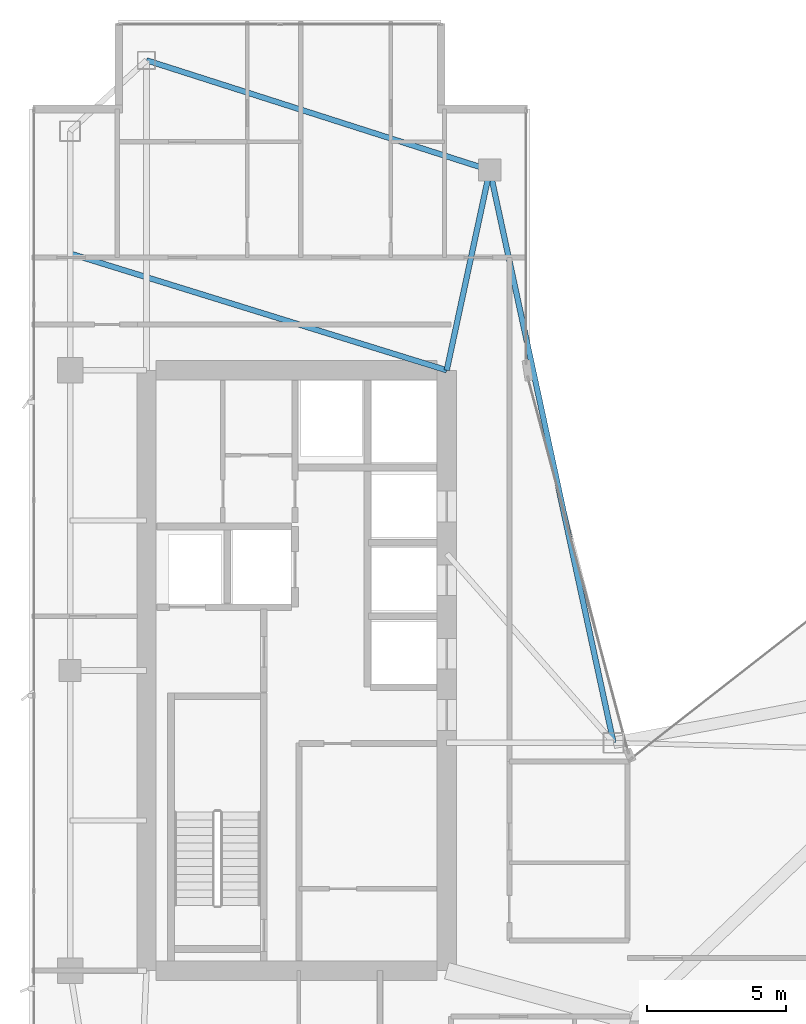
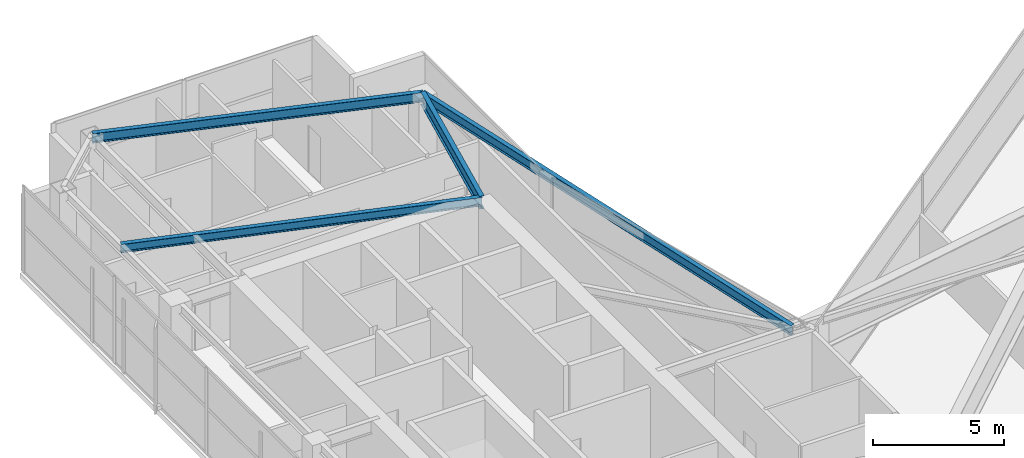
# One storey, part 18 of 29: 4 beams.
"""IFC4 building model written with IfcOpenShell, lengths in metres."""

from ifc_helpers import new_model, si_unit, direction, frame, origin, origin_2d, place, context, subcontext, project, spatial, i_section, extrude, material, material_profile, profile_set, type_object, element, save


model = new_model("IFC4")

# Units and contexts
model_context = context("Model", 3, precision=1e-05, world=origin(), true_north=direction((0.0, 1.0)))
body_context = subcontext(model_context, "Body", "Model", "MODEL_VIEW")
ifc_project = project(units=[si_unit("LENGTHUNIT", "METRE"), si_unit("AREAUNIT", "SQUARE_METRE"), si_unit("VOLUMEUNIT", "CUBIC_METRE"), si_unit("PLANEANGLEUNIT", "RADIAN"), si_unit("MASSUNIT", "GRAM", prefix="KILO")], contexts=[model_context])

# Site, building, storey
site_placement = place(None, origin())
site = spatial("IfcSite", under=ifc_project, at=site_placement, CompositionType="ELEMENT")
building_placement = place(site_placement, origin())
building = spatial("IfcBuilding", under=site, at=building_placement, Name="Calvorn Quay Hotel", CompositionType="ELEMENT")
storey_placement = place(building_placement, frame((0.0, 0.0, 214.800048828125)))
storey = spatial("IfcBuildingStorey", under=building, at=storey_placement, Name="L53", CompositionType="ELEMENT", Elevation=214.800048828125)

# Beams
ifc_material_1 = material(Name="Steel Q355B", Category="steel")
ifc_material_profile_1 = material_profile(ifc_material_1, i_section(OverallWidth=0.199951171875, OverallDepth=0.60009765625, WebThickness=0.010986328125, FlangeThickness=0.01708984375, FilletRadius=0.01806640625, at=origin_2d()), Name="HN600x200x11x17")
ifc_profile_set_1 = profile_set([ifc_material_profile_1], Name="Steel Q355B")
beam_type_1 = type_object("IfcBeamType", Name="BM-GIRD-TYP", PredefinedType="BEAM", material=ifc_profile_set_1)
beam_1_placement = place(storey_placement, frame((16.550048828125, 45.60009765625, 3.75), z_axis=(-0.210457140491, -0.97760308511, 0.0), x_axis=(0.97760308511, -0.210457140491, 0.0)))
element("IfcBeam", 1, at=beam_1_placement, inside=storey, type_object=beam_type_1, Name="Beam BG-L53-W6", PredefinedType="BEAM", context=body_context, shape_type="SweptSolid", body=[
    extrude(i_section(OverallWidth=0.199951171875, OverallDepth=0.60009765625, WebThickness=0.010986328125, FlangeThickness=0.01708984375, FilletRadius=0.01806640625, at=origin_2d()), origin(), (0.0, 0.0, 1.0), 7.365234375),
])
ifc_material_2 = material(Name="Steel Q355B", Category="steel")
ifc_material_profile_2 = material_profile(ifc_material_2, i_section(OverallWidth=0.199951171875, OverallDepth=0.39990234375, WebThickness=0.008056640625, FlangeThickness=0.012939453125, FilletRadius=0.01611328125, at=origin_2d()), Name="HN400x200x8x13")
ifc_profile_set_2 = profile_set([ifc_material_profile_2], Name="Steel Q355B")
beam_type_2 = type_object("IfcBeamType", Name="BM-JOIST-TYP", PredefinedType="JOIST", material=ifc_profile_set_2)
beam_2_placement = place(storey_placement, frame((1.449951171875, 42.60009765625, 3.849853515625), z_axis=(0.955163702122, -0.296078202759, 0.0), x_axis=(0.296078202759, 0.955163702122, 0.0)))
element("IfcBeam", 2, at=beam_2_placement, inside=storey, type_object=beam_type_2, Name="Beam BJ-L53-W2", PredefinedType="JOIST", context=body_context, shape_type="SweptSolid", body=[
    extrude(i_section(OverallWidth=0.199951171875, OverallDepth=0.39990234375, WebThickness=0.008056640625, FlangeThickness=0.012939453125, FilletRadius=0.01611328125, at=origin_2d()), origin(), (0.0, 0.0, 1.0), 14.18603515625),
])
ifc_material_3 = material(Name="Steel Q355B", Category="steel")
ifc_material_profile_3 = material_profile(ifc_material_3, i_section(OverallWidth=0.199951171875, OverallDepth=0.449951171875, WebThickness=0.009033203125, FlangeThickness=0.013916015625, FilletRadius=0.01611328125, at=origin_2d()), Name="HN450x200x9x14")
ifc_profile_set_3 = profile_set([ifc_material_profile_3], Name="Steel Q355B")
beam_type_3 = type_object("IfcBeamType", Name="BM-SPANDREL-Z3", PredefinedType="SPANDREL", material=ifc_profile_set_3)
beam_3_placement = place(storey_placement, frame((4.199951171875, 49.550048828125, 3.824951171875), z_axis=(0.952470702374, -0.304630203885, 0.0), x_axis=(0.304630203885, 0.952470702374, 0.0)))
element("IfcBeam", 3, at=beam_3_placement, inside=storey, type_object=beam_type_3, Name="Beam BSP-L53-W6", PredefinedType="SPANDREL", context=body_context, shape_type="SweptSolid", body=[
    extrude(i_section(OverallWidth=0.199951171875, OverallDepth=0.449951171875, WebThickness=0.009033203125, FlangeThickness=0.013916015625, FilletRadius=0.01611328125, at=origin_2d()), origin(), (0.0, 0.0, 1.0), 12.96630859375),
])
beam_4_placement = place(storey_placement, frame((16.550048828125, 45.60009765625, 3.824951171875), z_axis=(0.211145848376, -0.977454567084, 0.0), x_axis=(0.977454567084, 0.211145848376, 0.0)))
element("IfcBeam", 4, at=beam_4_placement, inside=storey, type_object=beam_type_3, Name="Beam BSP-L53-W7", PredefinedType="SPANDREL", context=body_context, shape_type="SweptSolid", body=[
    extrude(i_section(OverallWidth=0.199951171875, OverallDepth=0.449951171875, WebThickness=0.009033203125, FlangeThickness=0.013916015625, FilletRadius=0.01611328125, at=origin_2d()), origin(), (0.0, 0.0, 1.0), 21.0751953125),
])

save(model, "model.ifc")
